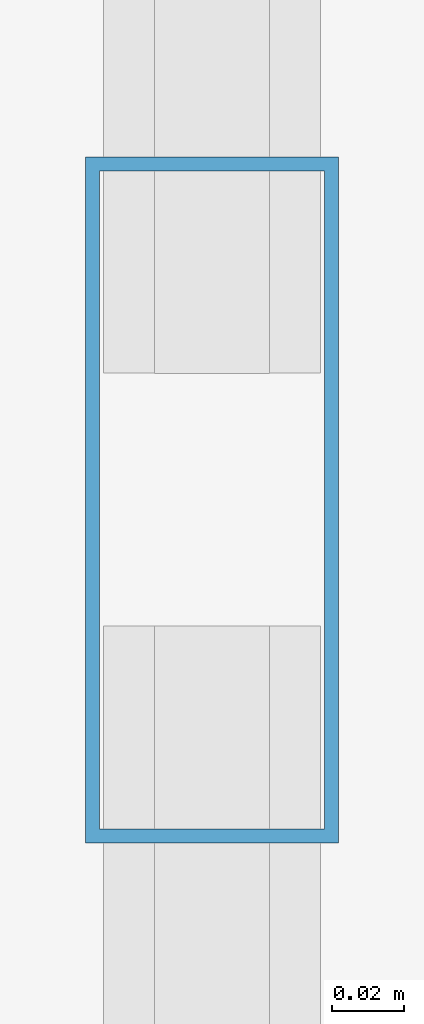
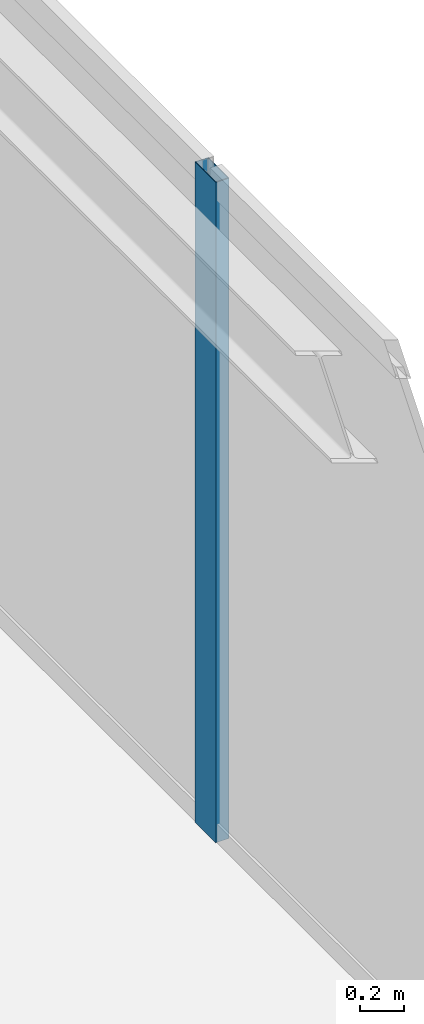
# One storey, part 18 of 34: 1 member, 1 element without a shape of its own.
"""IFC4 building model written with IfcOpenShell, lengths in metres."""

from ifc_helpers import new_model, si_unit, direction, frame, origin, origin_2d, place, context, subcontext, project, spatial, hollow_rectangle, extrude, source, transform, mapped, material, layer, layer_set, material_profile, profile_set, type_object, type_shapes, element, aggregate, save


model = new_model("IFC4")

# Units and contexts
model_context = context("Model", 3, precision=1e-05, world=origin(), true_north=direction((0.0, 1.0)))
body_context = subcontext(model_context, "Body", "Model", "MODEL_VIEW")
ifc_project = project(units=[si_unit("LENGTHUNIT", "METRE"), si_unit("AREAUNIT", "SQUARE_METRE"), si_unit("VOLUMEUNIT", "CUBIC_METRE"), si_unit("PLANEANGLEUNIT", "RADIAN"), si_unit("MASSUNIT", "GRAM", prefix="KILO")], contexts=[model_context])

# Site, building, storey
site_placement = place(None, origin())
site = spatial("IfcSite", under=ifc_project, at=site_placement, CompositionType="ELEMENT")
building_placement = place(site_placement, origin())
building = spatial("IfcBuilding", under=site, at=building_placement, Name="Varnel Quay Broadcast Tower", CompositionType="ELEMENT")
storey_placement = place(building_placement, frame((0.0, 0.0, 47.10009765625)))
storey = spatial("IfcBuildingStorey", under=building, at=storey_placement, Name="L10", CompositionType="ELEMENT", Elevation=47.10009765625)

# Curtain wall, member
ifc_material = material(Name="Anodised Bronze Aluminium 6063-T6", Category="aluminium")
ifc_layer = layer(ifc_material, 0.18994140625, Name="Anodised Bronze Aluminium 6063-T6")
ifc_layer_set = layer_set([ifc_layer], Name="Anodised Bronze Aluminium 6063-T6")
curtain_wall_type = type_object("IfcCurtainWallType", Name="CW_LowerTower", PredefinedType="NOTDEFINED", material=ifc_layer_set)
curtain_wall_placement = place(storey_placement, origin())
curtain_wall = element("IfcCurtainWall", 1, at=curtain_wall_placement, inside=storey, type_object=curtain_wall_type, Name="L10 East Unitised Curtain Wall", PredefinedType="NOTDEFINED")
ifc_material_profile = material_profile(ifc_material, hollow_rectangle(XDim=0.070068359375, YDim=0.18994140625, WallThickness=0.00390625, at=origin_2d()), Name="ALU70X190X4")
ifc_profile_set = profile_set([ifc_material_profile], Name="Anodised Bronze Aluminium 6063-T6")
member_type = type_object("IfcMemberType", Name="Mull_CWS-02", PredefinedType="MULLION", material=ifc_profile_set)
shared_shape = source(origin(), body_context, "Body", "SweptSolid", [
    extrude(hollow_rectangle(XDim=0.070068359375, YDim=0.18994140625, WallThickness=0.00390625, at=origin_2d()), origin(), (0.0, 0.0, 1.0), 3.64990234375),
])
type_shapes(member_type, [shared_shape])
member_placement = place(storey_placement, frame((65.85009765625, 30.39990234375, 0.0), z_axis=(0.0, 0.0, 1.0), x_axis=(-1.0, 0.0, 0.0)))
member = element("IfcMember", 2, at=member_placement, type_object=member_type, Name="CWS-02 mullion 3", PredefinedType="MULLION", context=body_context, shape_type="MappedRepresentation", body=[
    mapped(shared_shape, transform((0.0, 0.0, 0.0), x_axis=(1.0, 0.0, 0.0), y_axis=(0.0, 1.0, 0.0), z_axis=(0.0, 0.0, 1.0), scale=1.0)),
])
aggregate(curtain_wall, [member])

save(model, "model.ifc")
